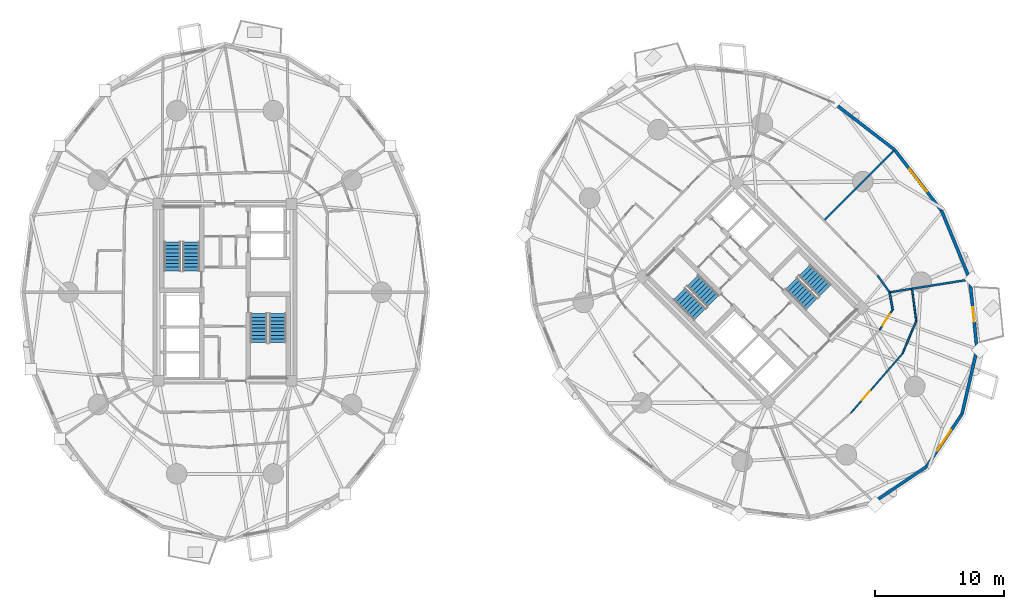
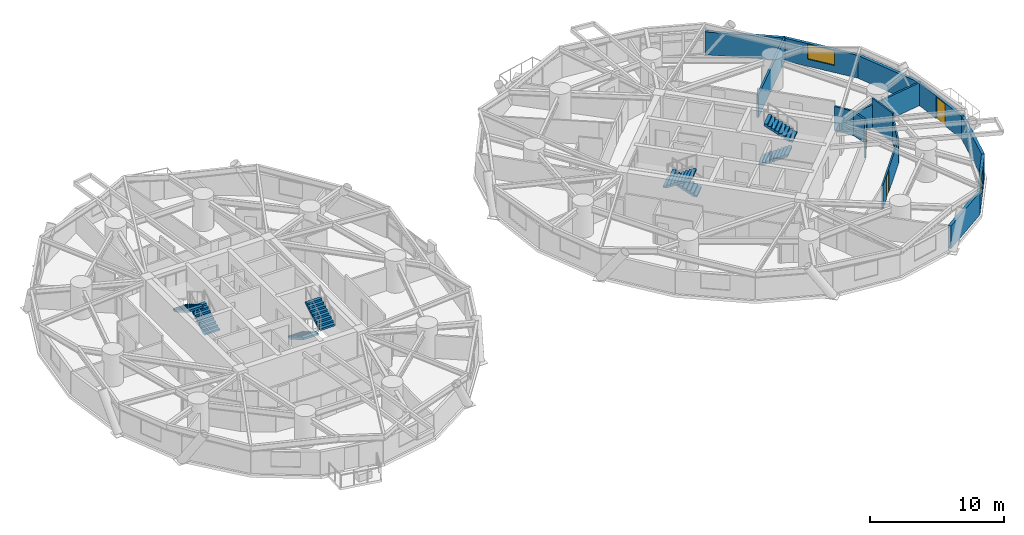
# One storey, part 16 of 19: 15 walls, 8 stair flights, 3 doors, 2 windows, 5 openings, 4 elements without a shape of their own.
"""IFC4 building model written with IfcOpenShell, lengths in metres."""

from ifc_helpers import new_model, si_unit, direction, frame, frame_2d, origin, place, context, subcontext, project, spatial, polyline, rectangle, outline, extrude, source, transform, mapped, material, layer, layer_set, type_object, element, fill, aggregate, save


model = new_model("IFC4")

# Units and contexts
model_context = context("Model", 3, precision=1e-05, world=origin(), true_north=direction((0.0, 1.0)))
body_context = subcontext(model_context, "Body", "Model", "MODEL_VIEW")
ifc_project = project(units=[si_unit("LENGTHUNIT", "METRE"), si_unit("AREAUNIT", "SQUARE_METRE"), si_unit("VOLUMEUNIT", "CUBIC_METRE"), si_unit("PLANEANGLEUNIT", "RADIAN"), si_unit("MASSUNIT", "GRAM", prefix="KILO")], contexts=[model_context])

# Site, building, storey
site_placement = place(None, origin())
site = spatial("IfcSite", under=ifc_project, at=site_placement, CompositionType="ELEMENT")
building_placement = place(site_placement, origin())
building = spatial("IfcBuilding", under=site, at=building_placement, Name="Cununo Teusaquillo Station Towers", CompositionType="ELEMENT")
storey_placement = place(building_placement, frame((0.0, 0.0, 48.18994140625)))
storey = spatial("IfcBuildingStorey", under=building, at=storey_placement, Name="L14", CompositionType="ELEMENT", Elevation=48.18994140625)

# Walls
ifc_material_1 = material(Name="Precast concrete C40/50", Category="concrete")
ifc_layer_1 = layer(ifc_material_1, 0.239990234375)
ifc_layer_set_1 = layer_set([ifc_layer_1], Name="Precast concrete C40/50")
wall_type_1 = type_object("IfcWallType", Name="WL-EXT-240", PredefinedType="SOLIDWALL", material=ifc_layer_set_1)
wall_1_placement = place(storey_placement, frame((63.844482421875, 39.22216796875, 0.0), z_axis=(0.0, 0.0, 1.0), x_axis=(0.792014314407, -0.610502519057, 0.0)))
element("IfcWall", 1, at=wall_1_placement, inside=storey, type_object=wall_type_1, Name="L14 Tower B Exterior Facade Wall C00", PredefinedType="SOLIDWALL", context=body_context, shape_type="SweptSolid", body=[
    extrude(rectangle(XDim=5.973388671875, YDim=0.239990234375, at=frame_2d((2.98681640625, 0.0))), origin(), (0.0, 0.0, 1.0), 2.072998046875),
])
wall_2_placement = place(storey_placement, frame((71.05517578125, 10.94482421875, 0.0), z_axis=(0.0, 0.0, 1.0), x_axis=(-0.828736708604, -0.559638693991, 0.0)))
element("IfcWall", 2, at=wall_2_placement, inside=storey, type_object=wall_type_1, Name="L14 Tower B Exterior Facade Wall C14", PredefinedType="SOLIDWALL", context=body_context, shape_type="SweptSolid", body=[
    extrude(rectangle(XDim=4.929931640625, YDim=0.239990234375, at=frame_2d((2.46484375, 0.0))), origin(), (0.0, 0.0, 1.0), 2.072998046875),
])

# Wall, opening, window
wall_3_placement = place(storey_placement, frame((73.814208984375, 15.030517578125, 0.0), z_axis=(0.0, 0.0, 1.0), x_axis=(-0.559638693991, -0.828736708604, 0.0)))
wall_3 = element("IfcWall", 3, at=wall_3_placement, inside=storey, type_object=wall_type_1, Name="L14 Tower B Exterior Facade Wall C15", PredefinedType="SOLIDWALL", context=body_context, shape_type="SweptSolid", body=[
    extrude(rectangle(XDim=4.929931640625, YDim=0.239990234375, at=frame_2d((2.46484375, 0.0))), origin(), (0.0, 0.0, 1.0), 2.072998046875),
])
shared_shape_1 = source(origin(), body_context, "Body", "SweptSolid", [
    extrude(rectangle(XDim=1.89990234375, YDim=1.35009765625, at=frame_2d((0.949951171875, 0.675048828125))), frame((0.0, 0.1298828125, 0.0), z_axis=(0.0, -1.0, 0.0), x_axis=(1.0, 0.0, 0.0)), (0.0, 0.0, 1.0), 0.260009765625),
])
opening_1_placement = place(wall_3_placement, frame((1.514892578125, 0.0, 0.64990234375)))
opening_1 = element("IfcOpeningElement", 4, at=opening_1_placement, cuts=wall_3, Name="Opening WN-02", PredefinedType="OPENING", context=body_context, shape_type="MappedRepresentation", body=[
    mapped(shared_shape_1, transform((0.0, 0.0, 0.0), x_axis=(1.0, 0.0, 0.0), y_axis=(0.0, 1.0, 0.0), z_axis=(0.0, 0.0, 1.0), scale=1.0)),
])
ifc_material_2 = material(Name="Operable acoustic tinted low-E double glazing", Category="glass")
window_type_1 = type_object("IfcWindowType", Name="WIN-OPER-1900", PartitioningType="DOUBLE_PANEL_VERTICAL", PredefinedType="WINDOW", material=ifc_material_2)
shared_shape_2 = source(origin(), body_context, "Body", "SweptSolid", [
    extrude(rectangle(XDim=1.89990234375, YDim=1.35009765625, at=frame_2d((0.949951171875, 0.675048828125))), frame((0.0, 0.030029296875, 0.0), z_axis=(0.0, -1.0, 0.0), x_axis=(1.0, 0.0, 0.0)), (0.0, 0.0, 1.0), 0.06005859375),
])
window_1_placement = place(opening_1_placement, origin())
window_1 = element("IfcWindow", 5, at=window_1_placement, inside=storey, type_object=window_type_1, Name="L14 Tower B Facade Window C15", OverallHeight=1.35009765625, OverallWidth=1.89990234375, PartitioningType="DOUBLE_PANEL_VERTICAL", PredefinedType="WINDOW", context=body_context, shape_type="MappedRepresentation", body=[
    mapped(shared_shape_2, transform((0.0, 0.0, 0.0), x_axis=(1.0, 0.0, 0.0), y_axis=(0.0, 1.0, 0.0), z_axis=(0.0, 0.0, 1.0), scale=1.0)),
])
fill(opening_1, window_1)

# Wall
wall_4_placement = place(storey_placement, frame((74.976318359375, 20.04345703125, 0.0), z_axis=(0.0, 0.0, 1.0), x_axis=(-0.225833060959, -0.974166016949, 0.0)))
element("IfcWall", 6, at=wall_4_placement, inside=storey, type_object=wall_type_1, Name="L14 Tower B Exterior Facade Wall C16", PredefinedType="SOLIDWALL", context=body_context, shape_type="SweptSolid", body=[
    extrude(rectangle(XDim=5.14599609375, YDim=0.239990234375, at=frame_2d((2.572998046875, 0.0))), origin(), (0.0, 0.0, 1.0), 2.072998046875),
])

# Wall, opening, door
wall_5_placement = place(storey_placement, frame((74.427734375, 25.49267578125, 0.0), z_axis=(0.0, 0.0, 1.0), x_axis=(0.100165739718, -0.994970765694, 0.0)))
wall_5 = element("IfcWall", 7, at=wall_5_placement, inside=storey, type_object=wall_type_1, Name="L14 Tower B Exterior Facade Wall C17", PredefinedType="SOLIDWALL", context=body_context, shape_type="SweptSolid", body=[
    extrude(rectangle(XDim=5.476806640625, YDim=0.239990234375, at=frame_2d((2.73828125, 0.0))), origin(), (0.0, 0.0, 1.0), 2.072998046875),
])
shared_shape_3 = source(origin(), body_context, "Body", "SweptSolid", [
    extrude(rectangle(XDim=1.14990234375, YDim=2.0048828125, at=frame_2d((0.574951171875, 1.00244140625))), frame((0.0, 0.1298828125, 0.0), z_axis=(0.0, -1.0, 0.0), x_axis=(1.0, 0.0, 0.0)), (0.0, 0.0, 1.0), 0.260009765625),
])
opening_2_placement = place(wall_5_placement, frame((2.1630859375, 0.0, 0.0)))
opening_2 = element("IfcOpeningElement", 8, at=opening_2_placement, cuts=wall_5, Name="Opening ED-03", PredefinedType="OPENING", context=body_context, shape_type="MappedRepresentation", body=[
    mapped(shared_shape_3, transform((0.0, 0.0, 0.0), x_axis=(1.0, 0.0, 0.0), y_axis=(0.0, 1.0, 0.0), z_axis=(0.0, 0.0, 1.0), scale=1.0)),
])
ifc_material_3 = material(Name="Anodised dark bronze aluminium EN AW-6063-T6", Category="aluminium")
door_type_1 = type_object("IfcDoorType", Name="DR-EXT-BAL", OperationType="NOTDEFINED", PredefinedType="DOOR", material=ifc_material_3)
shared_shape_4 = source(origin(), body_context, "Body", "SweptSolid", [
    extrude(rectangle(XDim=1.14990234375, YDim=2.0048828125, at=frame_2d((0.574951171875, 1.00244140625))), frame((0.0, 0.02490234375, 0.0), z_axis=(0.0, -1.0, 0.0), x_axis=(1.0, 0.0, 0.0)), (0.0, 0.0, 1.0), 0.050048828125),
])
door_1_placement = place(opening_2_placement, origin())
door_1 = element("IfcDoor", 9, at=door_1_placement, inside=storey, type_object=door_type_1, Name="L14 Tower B Tree Balcony Door C17", OperationType="SINGLE_SWING_LEFT", OverallHeight=2.0048828125, OverallWidth=1.14990234375, PredefinedType="DOOR", context=body_context, shape_type="MappedRepresentation", body=[
    mapped(shared_shape_4, transform((0.0, 0.0, 0.0), x_axis=(1.0, 0.0, 0.0), y_axis=(0.0, 1.0, 0.0), z_axis=(0.0, 0.0, 1.0), scale=1.0)),
])
fill(opening_2, door_1)

# Wall
wall_6_placement = place(storey_placement, frame((72.22216796875, 30.844482421875, 0.0), z_axis=(0.0, 0.0, 1.0), x_axis=(0.381027682565, -0.924563629567, 0.0)))
element("IfcWall", 10, at=wall_6_placement, inside=storey, type_object=wall_type_1, Name="L14 Tower B Exterior Facade Wall C18", PredefinedType="SOLIDWALL", context=body_context, shape_type="SweptSolid", body=[
    extrude(rectangle(XDim=5.78857421875, YDim=0.239990234375, at=frame_2d((2.894287109375, 0.0))), origin(), (0.0, 0.0, 1.0), 2.072998046875),
])

# Wall, opening, window
wall_7_placement = place(storey_placement, frame((68.575439453125, 35.575439453125, 0.0), z_axis=(0.0, 0.0, 1.0), x_axis=(0.610502519057, -0.792014314407, 0.0)))
wall_7 = element("IfcWall", 11, at=wall_7_placement, inside=storey, type_object=wall_type_1, Name="L14 Tower B Exterior Facade Wall C19", PredefinedType="SOLIDWALL", context=body_context, shape_type="SweptSolid", body=[
    extrude(rectangle(XDim=5.973388671875, YDim=0.239990234375, at=frame_2d((2.98681640625, 0.0))), origin(), (0.0, 0.0, 1.0), 2.072998046875),
])
shared_shape_5 = source(origin(), body_context, "Body", "SweptSolid", [
    extrude(rectangle(XDim=2.199951171875, YDim=1.35009765625, at=frame_2d((1.10009765625, 0.675048828125))), frame((0.0, 0.1298828125, 0.0), z_axis=(0.0, -1.0, 0.0), x_axis=(1.0, 0.0, 0.0)), (0.0, 0.0, 1.0), 0.260009765625),
])
opening_3_placement = place(wall_7_placement, frame((1.886962890625, 0.0, 0.64990234375)))
opening_3 = element("IfcOpeningElement", 12, at=opening_3_placement, cuts=wall_7, Name="Opening WN-01", PredefinedType="OPENING", context=body_context, shape_type="MappedRepresentation", body=[
    mapped(shared_shape_5, transform((0.0, 0.0, 0.0), x_axis=(1.0, 0.0, 0.0), y_axis=(0.0, 1.0, 0.0), z_axis=(0.0, 0.0, 1.0), scale=1.0)),
])
ifc_material_4 = material(Name="Ceramic-fritted dark low-E double glazing", Category="glass")
window_type_2 = type_object("IfcWindowType", Name="WIN-FRIT-2200", PartitioningType="DOUBLE_PANEL_VERTICAL", PredefinedType="WINDOW", material=ifc_material_4)
shared_shape_6 = source(origin(), body_context, "Body", "SweptSolid", [
    extrude(rectangle(XDim=2.199951171875, YDim=1.35009765625, at=frame_2d((1.10009765625, 0.675048828125))), frame((0.0, 0.030029296875, 0.0), z_axis=(0.0, -1.0, 0.0), x_axis=(1.0, 0.0, 0.0)), (0.0, 0.0, 1.0), 0.06005859375),
])
window_2_placement = place(opening_3_placement, origin())
window_2 = element("IfcWindow", 13, at=window_2_placement, inside=storey, type_object=window_type_2, Name="L14 Tower B Facade Window C19", OverallHeight=1.35009765625, OverallWidth=2.199951171875, PartitioningType="DOUBLE_PANEL_VERTICAL", PredefinedType="WINDOW", context=body_context, shape_type="MappedRepresentation", body=[
    mapped(shared_shape_6, transform((0.0, 0.0, 0.0), x_axis=(1.0, 0.0, 0.0), y_axis=(0.0, 1.0, 0.0), z_axis=(0.0, 0.0, 1.0), scale=1.0)),
])
fill(opening_3, window_2)

# Wall, opening, door
ifc_material_5 = material(Name="Fire-rated gypsum plasterboard partition assembly", Category="gypsum")
ifc_layer_2 = layer(ifc_material_5, 0.125)
ifc_layer_set_2 = layer_set([ifc_layer_2], Name="Fire-rated gypsum plasterboard partition assembly")
wall_type_2 = type_object("IfcWallType", Name="WL-PART-125", PredefinedType="PARTITIONING", material=ifc_layer_set_2)
wall_8_placement = place(storey_placement, frame((65.156005859375, 15.09375, 0.0), z_axis=(0.0, 0.0, 1.0), x_axis=(0.656356662483, 0.754450748302, 0.0)))
wall_8 = element("IfcWall", 14, at=wall_8_placement, inside=storey, type_object=wall_type_2, Name="L14 Tower B Hotel Housekeeping & Linen Pantry Concentric Partition Wall C15", PredefinedType="PARTITIONING", context=body_context, shape_type="SweptSolid", body=[
    extrude(rectangle(XDim=6.1474609375, YDim=0.125, at=frame_2d((3.07373046875, 0.0))), origin(), (0.0, 0.0, 1.0), 2.1591796875),
])
shared_shape_7 = source(origin(), body_context, "Body", "SweptSolid", [
    extrude(rectangle(XDim=0.89990234375, YDim=2.0048828125, at=frame_2d((0.449951171875, 1.00244140625))), frame((0.0, 0.072509765625, 0.0), z_axis=(0.0, -1.0, 0.0), x_axis=(1.0, 0.0, 0.0)), (0.0, 0.0, 1.0), 0.14501953125),
])
opening_4_placement = place(wall_8_placement, frame((1.371826171875, 0.0, 0.0)))
opening_4 = element("IfcOpeningElement", 15, at=opening_4_placement, cuts=wall_8, Name="Opening D-IN1", PredefinedType="OPENING", context=body_context, shape_type="MappedRepresentation", body=[
    mapped(shared_shape_7, transform((0.0, 0.0, 0.0), x_axis=(1.0, 0.0, 0.0), y_axis=(0.0, 1.0, 0.0), z_axis=(0.0, 0.0, 1.0), scale=1.0)),
])
ifc_material_6 = material(Name="Acoustic solid-core hardwood leaf assembly", Category="wood")
door_type_2 = type_object("IfcDoorType", Name="DR-INT-900", OperationType="NOTDEFINED", PredefinedType="DOOR", material=ifc_material_6)
shared_shape_8 = source(origin(), body_context, "Body", "SweptSolid", [
    extrude(rectangle(XDim=0.89990234375, YDim=2.0048828125, at=frame_2d((0.449951171875, 1.00244140625))), frame((0.0, 0.02490234375, 0.0), z_axis=(0.0, -1.0, 0.0), x_axis=(1.0, 0.0, 0.0)), (0.0, 0.0, 1.0), 0.050048828125),
])
door_2_placement = place(opening_4_placement, origin())
door_2 = element("IfcDoor", 16, at=door_2_placement, inside=storey, type_object=door_type_2, Name="L14 Tower B Hotel Housekeeping & Linen Pantry Connecting Door", OperationType="SINGLE_SWING_RIGHT", OverallHeight=2.0048828125, OverallWidth=0.89990234375, PredefinedType="DOOR", context=body_context, shape_type="MappedRepresentation", body=[
    mapped(shared_shape_8, transform((0.0, 0.0, 0.0), x_axis=(1.0, 0.0, 0.0), y_axis=(0.0, 1.0, 0.0), z_axis=(0.0, 0.0, 1.0), scale=1.0)),
])
fill(opening_4, door_2)

# Walls
wall_9_placement = place(storey_placement, frame((69.19091796875, 19.731689453125, 0.0), z_axis=(0.0, 0.0, 1.0), x_axis=(0.385156247749, 0.922851377427, 0.0)))
element("IfcWall", 17, at=wall_9_placement, inside=storey, type_object=wall_type_2, Name="L14 Tower B Hotel Housekeeping & Linen Pantry Concentric Partition Wall C16", PredefinedType="PARTITIONING", context=body_context, shape_type="SweptSolid", body=[
    extrude(rectangle(XDim=2.756103515625, YDim=0.125, at=frame_2d((1.3779296875, 0.0))), origin(), (0.0, 0.0, 1.0), 2.205078125),
])
wall_10_placement = place(storey_placement, frame((70.25244140625, 22.275146484375, 0.0), z_axis=(0.0, 0.0, 1.0), x_axis=(-0.129645482902, 0.991560411051, 0.0)))
element("IfcWall", 18, at=wall_10_placement, inside=storey, type_object=wall_type_2, Name="L14 Tower B Hotel Housekeeping & Linen Pantry Concentric Partition Wall C17", PredefinedType="PARTITIONING", context=body_context, shape_type="SweptSolid", body=[
    extrude(rectangle(XDim=2.521484375, YDim=0.125, at=frame_2d((1.2607421875, 0.0))), origin(), (0.0, 0.0, 1.0), 2.635009765625),
])

# Wall, opening, door
ifc_material_7 = material(Name="Fire-rated gypsum plasterboard partition assembly", Category="gypsum")
ifc_layer_3 = layer(ifc_material_7, 0.14990234375)
ifc_layer_set_3 = layer_set([ifc_layer_3], Name="Fire-rated gypsum plasterboard partition assembly")
wall_type_3 = type_object("IfcWallType", Name="WL-PART-150", PredefinedType="PARTITIONING", material=ifc_layer_set_3)
wall_11_placement = place(storey_placement, frame((67.39990234375, 21.556396484375, 0.0), z_axis=(0.0, 0.0, 1.0), x_axis=(0.542247692187, 0.840218686009, 0.0)))
wall_11 = element("IfcWall", 19, at=wall_11_placement, inside=storey, type_object=wall_type_3, Name="L14 Tower B Corridor Ring Wall C16", PredefinedType="PARTITIONING", context=body_context, shape_type="SweptSolid", body=[
    extrude(rectangle(XDim=1.886962890625, YDim=0.14990234375, at=frame_2d((0.943359375, 0.0))), origin(), (0.0, 0.0, 1.0), 2.205078125),
])
shared_shape_9 = source(origin(), body_context, "Body", "SweptSolid", [
    extrude(rectangle(XDim=1.050048828125, YDim=2.014892578125, at=frame_2d((0.52490234375, 1.00732421875))), frame((0.0, 0.0849609375, 0.0), z_axis=(0.0, -1.0, 0.0), x_axis=(1.0, 0.0, 0.0)), (0.0, 0.0, 1.0), 0.169921875),
])
opening_5_placement = place(wall_11_placement, frame((0.418701171875, 0.0, 0.0)))
opening_5 = element("IfcOpeningElement", 20, at=opening_5_placement, cuts=wall_11, Name="Opening D-SU1", PredefinedType="OPENING", context=body_context, shape_type="MappedRepresentation", body=[
    mapped(shared_shape_9, transform((0.0, 0.0, 0.0), x_axis=(1.0, 0.0, 0.0), y_axis=(0.0, 1.0, 0.0), z_axis=(0.0, 0.0, 1.0), scale=1.0)),
])
ifc_material_8 = material(Name="Acoustic solid-core hardwood leaf assembly", Category="wood")
door_type_3 = type_object("IfcDoorType", Name="DR-SUITE-1050", OperationType="NOTDEFINED", PredefinedType="DOOR", material=ifc_material_8)
shared_shape_10 = source(origin(), body_context, "Body", "SweptSolid", [
    extrude(rectangle(XDim=1.050048828125, YDim=2.014892578125, at=frame_2d((0.52490234375, 1.00732421875))), frame((0.0, 0.02490234375, 0.0), z_axis=(0.0, -1.0, 0.0), x_axis=(1.0, 0.0, 0.0)), (0.0, 0.0, 1.0), 0.050048828125),
])
door_3_placement = place(opening_5_placement, origin())
door_3 = element("IfcDoor", 21, at=door_3_placement, inside=storey, type_object=door_type_3, Name="L14 Tower B Hotel Housekeeping & Linen Pantry Entrance Door", OperationType="SINGLE_SWING_LEFT", OverallHeight=2.014892578125, OverallWidth=1.050048828125, PredefinedType="DOOR", context=body_context, shape_type="MappedRepresentation", body=[
    mapped(shared_shape_10, transform((0.0, 0.0, 0.0), x_axis=(1.0, 0.0, 0.0), y_axis=(0.0, 1.0, 0.0), z_axis=(0.0, 0.0, 1.0), scale=1.0)),
])
fill(opening_5, door_3)

# Walls
wall_12_placement = place(storey_placement, frame((68.423095703125, 23.141845703125, 0.0), z_axis=(0.0, 0.0, 1.0), x_axis=(-0.174796562349, 0.984604571283, 0.0)))
element("IfcWall", 22, at=wall_12_placement, inside=storey, type_object=wall_type_3, Name="L14 Tower B Corridor Ring Wall C17", PredefinedType="PARTITIONING", context=body_context, shape_type="SweptSolid", body=[
    extrude(rectangle(XDim=1.377197265625, YDim=0.14990234375, at=frame_2d((0.6884765625, 0.0))), origin(), (0.0, 0.0, 1.0), 2.1591796875),
])
wall_13_placement = place(storey_placement, frame((68.182373046875, 24.497802734375, 0.0), z_axis=(0.0, 0.0, 1.0), x_axis=(-0.582532339525, 0.812807525437, 0.0)))
element("IfcWall", 23, at=wall_13_placement, inside=storey, type_object=wall_type_3, Name="L14 Tower B Corridor Ring Wall C18", PredefinedType="PARTITIONING", context=body_context, shape_type="SweptSolid", body=[
    extrude(rectangle(XDim=1.605224609375, YDim=0.14990234375, at=frame_2d((0.802734375, 0.0))), origin(), (0.0, 0.0, 1.0), 2.205078125),
])
ifc_material_9 = material(Name="Fire-rated gypsum plasterboard partition assembly", Category="gypsum")
ifc_layer_4 = layer(ifc_material_9, 0.159912109375)
ifc_layer_set_4 = layer_set([ifc_layer_4], Name="Fire-rated gypsum plasterboard partition assembly")
wall_type_4 = type_object("IfcWallType", Name="WL-PART-160", PredefinedType="PARTITIONING", material=ifc_layer_set_4)
wall_14_placement = place(storey_placement, frame((63.086181640625, 30.086181640625, 0.0), z_axis=(0.0, 0.0, 1.0), x_axis=(0.707106781187, 0.707106781187, 0.0)))
element("IfcWall", 24, at=wall_14_placement, inside=storey, type_object=wall_type_4, Name="L14 Tower B Radial Suite Partition R01", PredefinedType="PARTITIONING", context=body_context, shape_type="SweptSolid", body=[
    extrude(rectangle(XDim=7.742919921875, YDim=0.159912109375, at=frame_2d((3.87158203125, 0.0))), origin(), (0.0, 0.0, 1.0), 2.072998046875),
])
wall_15_placement = place(storey_placement, frame((68.182373046875, 24.497802734375, 0.0), z_axis=(0.0, 0.0, 1.0), x_axis=(0.987550107246, 0.157304754152, 0.0)))
element("IfcWall", 25, at=wall_15_placement, inside=storey, type_object=wall_type_4, Name="L14 Tower B Radial Suite Partition R09", PredefinedType="PARTITIONING", context=body_context, shape_type="SweptSolid", body=[
    extrude(rectangle(XDim=6.30419921875, YDim=0.159912109375, at=frame_2d((3.152099609375, 0.0))), origin(), (0.0, 0.0, 1.0), 2.072998046875),
])

# Stair, stair flights
ifc_material_10 = material(Name="Concrete C50/60", Category="concrete")
stair_type = type_object("IfcStairType", Name="ST-TWR-1300", PredefinedType="HALF_TURN_STAIR", material=ifc_material_10)
stair_1_placement = place(storey_placement, origin())
stair_1 = element("IfcStair", 26, at=stair_1_placement, inside=storey, type_object=stair_type, Name="L14 Tower A Protected Core Exit Stair 1", PredefinedType="HALF_TURN_STAIR")
ifc_material_11 = material(Name="Concrete C50/60", Category="concrete")
stair_flight_type = type_object("IfcStairFlightType", Name="SFL-TWR-1300", PredefinedType="STRAIGHT", material=ifc_material_11)
stair_flight_1_placement = place(storey_placement, frame((13.8701171875, 26.169921875, 0.0), z_axis=(0.0, 0.0, 1.0), x_axis=(0.0, 1.0, 0.0)))
stair_flight_1 = element("IfcStairFlight", 27, at=stair_flight_1_placement, type_object=stair_flight_type, Name="ST-T1-1 flight 1", NumberOfRisers=9, NumberOfTreads=8, PredefinedType="STRAIGHT", RiserHeight=0.161666667, TreadLength=0.28, context=body_context, shape_type="SweptSolid", body=[
    extrude(outline(polyline([(0.0, 0.0), (0.0, 0.16162109375), (0.280029296875, 0.16162109375), (0.280029296875, 0.3232421875), (0.56005859375, 0.3232421875), (0.56005859375, 0.485107421875), (0.840087890625, 0.485107421875), (0.840087890625, 0.646728515625), (1.1201171875, 0.646728515625), (1.1201171875, 0.808349609375), (1.39990234375, 0.808349609375), (1.39990234375, 0.969970703125), (1.679931640625, 0.969970703125), (1.679931640625, 1.131591796875), (1.9599609375, 1.131591796875), (1.9599609375, 1.293212890625), (2.239990234375, 1.293212890625), (2.239990234375, 1.455078125), (2.239990234375, 1.1201171875), (0.2998046875, 0.0), (0.0, 0.0)])), frame((0.0, 0.64990234375, 0.0), z_axis=(0.0, -1.0, 0.0), x_axis=(1.0, 0.0, 0.0)), (0.0, 0.0, 1.0), 1.300048828125),
])
stair_flight_2_placement = place(storey_placement, frame((12.409912109375, 28.409912109375, 1.455078125), z_axis=(0.0, 0.0, 1.0), x_axis=(0.0, -1.0, 0.0)))
stair_flight_2 = element("IfcStairFlight", 28, at=stair_flight_2_placement, type_object=stair_flight_type, Name="ST-T1-1 flight 2", NumberOfRisers=9, NumberOfTreads=8, PredefinedType="STRAIGHT", RiserHeight=0.161666667, TreadLength=0.28, context=body_context, shape_type="SweptSolid", body=[
    extrude(outline(polyline([(0.0, 0.0), (0.0, 0.16162109375), (0.280029296875, 0.16162109375), (0.280029296875, 0.3232421875), (0.56005859375, 0.3232421875), (0.56005859375, 0.485107421875), (0.840087890625, 0.485107421875), (0.840087890625, 0.646728515625), (1.1201171875, 0.646728515625), (1.1201171875, 0.808349609375), (1.39990234375, 0.808349609375), (1.39990234375, 0.969970703125), (1.679931640625, 0.969970703125), (1.679931640625, 1.131591796875), (1.9599609375, 1.131591796875), (1.9599609375, 1.293212890625), (2.239990234375, 1.293212890625), (2.239990234375, 1.455078125), (2.239990234375, 1.1201171875), (0.2998046875, 0.0), (0.0, 0.0)])), frame((0.0, 0.64990234375, 0.0), z_axis=(0.0, -1.0, 0.0), x_axis=(1.0, 0.0, 0.0)), (0.0, 0.0, 1.0), 1.300048828125),
])
aggregate(stair_1, [stair_flight_1, stair_flight_2])

stair_2_placement = place(storey_placement, origin())
stair_2 = element("IfcStair", 29, at=stair_2_placement, inside=storey, type_object=stair_type, Name="L14 Tower A Protected Core Exit Stair 2", PredefinedType="HALF_TURN_STAIR")
stair_flight_3_placement = place(storey_placement, frame((19.1298828125, 22.830078125, 0.0), z_axis=(0.0, 0.0, 1.0), x_axis=(0.0, -1.0, 0.0)))
stair_flight_3 = element("IfcStairFlight", 30, at=stair_flight_3_placement, type_object=stair_flight_type, Name="ST-T1-2 flight 1", NumberOfRisers=9, NumberOfTreads=8, PredefinedType="STRAIGHT", RiserHeight=0.161666667, TreadLength=0.28, context=body_context, shape_type="SweptSolid", body=[
    extrude(outline(polyline([(0.0, 0.0), (0.0, 0.16162109375), (0.280029296875, 0.16162109375), (0.280029296875, 0.3232421875), (0.56005859375, 0.3232421875), (0.56005859375, 0.485107421875), (0.840087890625, 0.485107421875), (0.840087890625, 0.646728515625), (1.1201171875, 0.646728515625), (1.1201171875, 0.808349609375), (1.39990234375, 0.808349609375), (1.39990234375, 0.969970703125), (1.679931640625, 0.969970703125), (1.679931640625, 1.131591796875), (1.9599609375, 1.131591796875), (1.9599609375, 1.293212890625), (2.239990234375, 1.293212890625), (2.239990234375, 1.455078125), (2.239990234375, 1.1201171875), (0.2998046875, 0.0), (0.0, 0.0)])), frame((0.0, 0.64990234375, 0.0), z_axis=(0.0, -1.0, 0.0), x_axis=(1.0, 0.0, 0.0)), (0.0, 0.0, 1.0), 1.300048828125),
])
stair_flight_4_placement = place(storey_placement, frame((20.590087890625, 20.590087890625, 1.455078125), z_axis=(0.0, 0.0, 1.0), x_axis=(0.0, 1.0, 0.0)))
stair_flight_4 = element("IfcStairFlight", 31, at=stair_flight_4_placement, type_object=stair_flight_type, Name="ST-T1-2 flight 2", NumberOfRisers=9, NumberOfTreads=8, PredefinedType="STRAIGHT", RiserHeight=0.161666667, TreadLength=0.28, context=body_context, shape_type="SweptSolid", body=[
    extrude(outline(polyline([(0.0, 0.0), (0.0, 0.16162109375), (0.280029296875, 0.16162109375), (0.280029296875, 0.3232421875), (0.56005859375, 0.3232421875), (0.56005859375, 0.485107421875), (0.840087890625, 0.485107421875), (0.840087890625, 0.646728515625), (1.1201171875, 0.646728515625), (1.1201171875, 0.808349609375), (1.39990234375, 0.808349609375), (1.39990234375, 0.969970703125), (1.679931640625, 0.969970703125), (1.679931640625, 1.131591796875), (1.9599609375, 1.131591796875), (1.9599609375, 1.293212890625), (2.239990234375, 1.293212890625), (2.239990234375, 1.455078125), (2.239990234375, 1.1201171875), (0.2998046875, 0.0), (0.0, 0.0)])), frame((0.0, 0.64990234375, 0.0), z_axis=(0.0, -1.0, 0.0), x_axis=(1.0, 0.0, 0.0)), (0.0, 0.0, 1.0), 1.300048828125),
])
aggregate(stair_2, [stair_flight_3, stair_flight_4])

stair_3_placement = place(storey_placement, origin())
stair_3 = element("IfcStair", 32, at=stair_3_placement, inside=storey, type_object=stair_type, Name="L14 Tower B Protected Core Exit Stair 1", PredefinedType="HALF_TURN_STAIR")
stair_flight_5_placement = place(storey_placement, frame((54.45947265625, 23.8212890625, 0.0), z_axis=(0.0, 0.0, 1.0), x_axis=(-0.707106781187, 0.707106781187, 0.0)))
stair_flight_5 = element("IfcStairFlight", 33, at=stair_flight_5_placement, type_object=stair_flight_type, Name="ST-T2-1 flight 1", NumberOfRisers=9, NumberOfTreads=8, PredefinedType="STRAIGHT", RiserHeight=0.161666667, TreadLength=0.28, context=body_context, shape_type="SweptSolid", body=[
    extrude(outline(polyline([(0.0, 0.0), (0.0, 0.16162109375), (0.280029296875, 0.16162109375), (0.280029296875, 0.3232421875), (0.56005859375, 0.3232421875), (0.56005859375, 0.485107421875), (0.840087890625, 0.485107421875), (0.840087890625, 0.646728515625), (1.1201171875, 0.646728515625), (1.1201171875, 0.808349609375), (1.39990234375, 0.808349609375), (1.39990234375, 0.969970703125), (1.679931640625, 0.969970703125), (1.679931640625, 1.131591796875), (1.9599609375, 1.131591796875), (1.9599609375, 1.293212890625), (2.239990234375, 1.293212890625), (2.239990234375, 1.455078125), (2.239990234375, 1.1201171875), (0.2998046875, 0.0), (0.0, 0.0)])), frame((0.0, 0.64990234375, 0.0), z_axis=(0.0, -1.0, 0.0), x_axis=(1.0, 0.0, 0.0)), (0.0, 0.0, 1.0), 1.300048828125),
])
stair_flight_6_placement = place(storey_placement, frame((51.84326171875, 24.372802734375, 1.455078125), z_axis=(0.0, 0.0, 1.0), x_axis=(0.707106781187, -0.707106781187, 0.0)))
stair_flight_6 = element("IfcStairFlight", 34, at=stair_flight_6_placement, type_object=stair_flight_type, Name="ST-T2-1 flight 2", NumberOfRisers=9, NumberOfTreads=8, PredefinedType="STRAIGHT", RiserHeight=0.161666667, TreadLength=0.28, context=body_context, shape_type="SweptSolid", body=[
    extrude(outline(polyline([(0.0, 0.0), (0.0, 0.16162109375), (0.280029296875, 0.16162109375), (0.280029296875, 0.3232421875), (0.56005859375, 0.3232421875), (0.56005859375, 0.485107421875), (0.840087890625, 0.485107421875), (0.840087890625, 0.646728515625), (1.1201171875, 0.646728515625), (1.1201171875, 0.808349609375), (1.39990234375, 0.808349609375), (1.39990234375, 0.969970703125), (1.679931640625, 0.969970703125), (1.679931640625, 1.131591796875), (1.9599609375, 1.131591796875), (1.9599609375, 1.293212890625), (2.239990234375, 1.293212890625), (2.239990234375, 1.455078125), (2.239990234375, 1.1201171875), (0.2998046875, 0.0), (0.0, 0.0)])), frame((0.0, 0.64990234375, 0.0), z_axis=(0.0, -1.0, 0.0), x_axis=(1.0, 0.0, 0.0)), (0.0, 0.0, 1.0), 1.300048828125),
])
aggregate(stair_3, [stair_flight_5, stair_flight_6])

stair_4_placement = place(storey_placement, origin())
stair_4 = element("IfcStair", 35, at=stair_4_placement, inside=storey, type_object=stair_type, Name="L14 Tower B Protected Core Exit Stair 2", PredefinedType="HALF_TURN_STAIR")
stair_flight_7_placement = place(storey_placement, frame((60.54052734375, 25.1787109375, 0.0), z_axis=(0.0, 0.0, 1.0), x_axis=(0.707106781187, -0.707106781187, 0.0)))
stair_flight_7 = element("IfcStairFlight", 36, at=stair_flight_7_placement, type_object=stair_flight_type, Name="ST-T2-2 flight 1", NumberOfRisers=9, NumberOfTreads=8, PredefinedType="STRAIGHT", RiserHeight=0.161666667, TreadLength=0.28, context=body_context, shape_type="SweptSolid", body=[
    extrude(outline(polyline([(0.0, 0.0), (0.0, 0.16162109375), (0.280029296875, 0.16162109375), (0.280029296875, 0.3232421875), (0.56005859375, 0.3232421875), (0.56005859375, 0.485107421875), (0.840087890625, 0.485107421875), (0.840087890625, 0.646728515625), (1.1201171875, 0.646728515625), (1.1201171875, 0.808349609375), (1.39990234375, 0.808349609375), (1.39990234375, 0.969970703125), (1.679931640625, 0.969970703125), (1.679931640625, 1.131591796875), (1.9599609375, 1.131591796875), (1.9599609375, 1.293212890625), (2.239990234375, 1.293212890625), (2.239990234375, 1.455078125), (2.239990234375, 1.1201171875), (0.2998046875, 0.0), (0.0, 0.0)])), frame((0.0, 0.64990234375, 0.0), z_axis=(0.0, -1.0, 0.0), x_axis=(1.0, 0.0, 0.0)), (0.0, 0.0, 1.0), 1.300048828125),
])
stair_flight_8_placement = place(storey_placement, frame((63.15673828125, 24.627197265625, 1.455078125), z_axis=(0.0, 0.0, 1.0), x_axis=(-0.707106781187, 0.707106781187, 0.0)))
stair_flight_8 = element("IfcStairFlight", 37, at=stair_flight_8_placement, type_object=stair_flight_type, Name="ST-T2-2 flight 2", NumberOfRisers=9, NumberOfTreads=8, PredefinedType="STRAIGHT", RiserHeight=0.161666667, TreadLength=0.28, context=body_context, shape_type="SweptSolid", body=[
    extrude(outline(polyline([(0.0, 0.0), (0.0, 0.16162109375), (0.280029296875, 0.16162109375), (0.280029296875, 0.3232421875), (0.56005859375, 0.3232421875), (0.56005859375, 0.485107421875), (0.840087890625, 0.485107421875), (0.840087890625, 0.646728515625), (1.1201171875, 0.646728515625), (1.1201171875, 0.808349609375), (1.39990234375, 0.808349609375), (1.39990234375, 0.969970703125), (1.679931640625, 0.969970703125), (1.679931640625, 1.131591796875), (1.9599609375, 1.131591796875), (1.9599609375, 1.293212890625), (2.239990234375, 1.293212890625), (2.239990234375, 1.455078125), (2.239990234375, 1.1201171875), (0.2998046875, 0.0), (0.0, 0.0)])), frame((0.0, 0.64990234375, 0.0), z_axis=(0.0, -1.0, 0.0), x_axis=(1.0, 0.0, 0.0)), (0.0, 0.0, 1.0), 1.300048828125),
])
aggregate(stair_4, [stair_flight_7, stair_flight_8])

save(model, "model.ifc")
